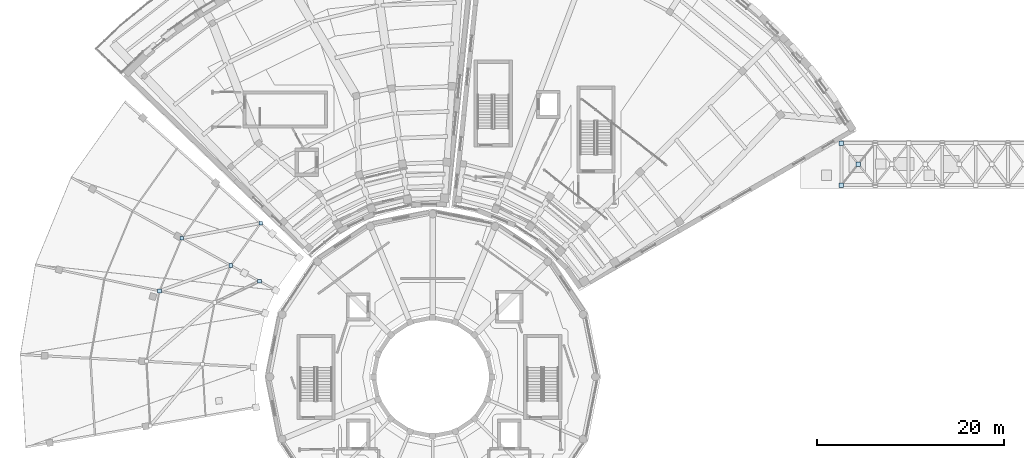
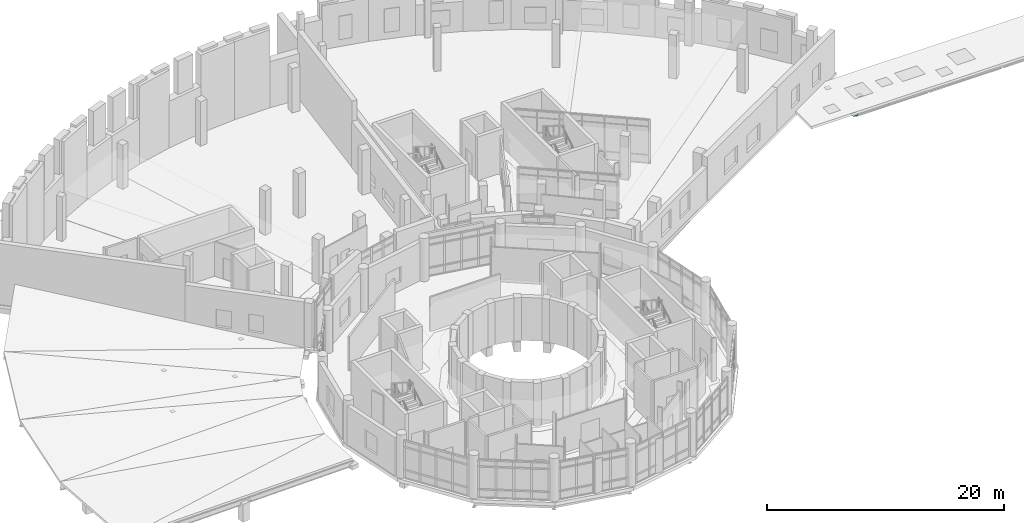
# One storey, part 30 of 49: 8 plates.
"""IFC4 building model written with IfcOpenShell, lengths in metres."""

from ifc_helpers import new_model, si_unit, direction, frame, origin, origin_2d, place, context, subcontext, project, spatial, rectangle, extrude, material, layer, layer_set, type_object, element, save


model = new_model("IFC4")

# Units and contexts
model_context = context("Model", 3, precision=1e-05, world=origin(), true_north=direction((0.0, 1.0)))
body_context = subcontext(model_context, "Body", "Model", "MODEL_VIEW")
ifc_project = project(units=[si_unit("LENGTHUNIT", "METRE"), si_unit("AREAUNIT", "SQUARE_METRE"), si_unit("VOLUMEUNIT", "CUBIC_METRE"), si_unit("PLANEANGLEUNIT", "RADIAN"), si_unit("MASSUNIT", "GRAM", prefix="KILO")], contexts=[model_context])

# Site, building, storey
site_placement = place(None, origin())
site = spatial("IfcSite", under=ifc_project, at=site_placement, CompositionType="ELEMENT")
building_placement = place(site_placement, origin())
building = spatial("IfcBuilding", under=site, at=building_placement, Name="Soyqirgoq Riverine Aquarium", CompositionType="ELEMENT")
storey_placement = place(building_placement, frame((0.0, 0.0, 15.0)))
storey = spatial("IfcBuildingStorey", under=building, at=storey_placement, Name="L04", CompositionType="ELEMENT", Elevation=15.0)

# Plates
ifc_material = material(Name="Structural steel S355", Category="steel")
ifc_layer = layer(ifc_material, 0.031982421875)
ifc_layer_set = layer_set([ifc_layer], Name="Structural steel S355")
plate_type = type_object("IfcPlateType", Name="NodeGussetPlate_32_S355", PredefinedType="SHEET", material=ifc_layer_set)
for number, where, z_axis, x_axis, name in (
    (1, (101.60009765625, 79.800048828125, -0.24609375), (0.0, 0.0, 1.0), (1.0, 0.0, 0.0), "BR-2 X-Brace Crossing Gusset Plate 033"),
    (2, (99.800048828125, 77.550048828125, -0.24609375), (0.0, 0.0, 1.0), (1.0, 0.0, 0.0), "BR-2 Brace End Gusset Plate SW 034"),
    (3, (99.800048828125, 82.050048828125, -0.24609375), (0.0, 0.0, 1.0), (1.0, 0.0, 0.0), "BR-2 Brace End Gusset Plate NW 036"),
):
    element("IfcPlate", number, at=place(storey_placement, frame(where, z_axis=z_axis, x_axis=x_axis)), inside=storey, type_object=plate_type, Name=name, PredefinedType="SHEET", context=body_context, shape_type="SweptSolid", body=[
        extrude(rectangle(XDim=0.47998046875, YDim=0.47998046875, at=origin_2d()), origin(), (0.0, 0.0, 1.0), 0.031982421875),
    ])
for number, where, z_axis, x_axis, name in (
    (4, (37.57861328125, 73.470703125, 0.84619140625), (0.0, 0.0, 1.0), (1.0, 0.0, 0.0), "V3 Lateral Wind Brace End Gusset 125"),
    (5, (29.10302734375, 71.847900390625, 1.56494140625), (0.0, 0.0, 1.0), (1.0, 0.0, 0.0), "V3 Lateral Wind Brace End Gusset 126"),
    (6, (34.366455078125, 68.9423828125, 0.85107421875), (0.0, 0.0, 1.0), (1.0, 0.0, 0.0), "V3 Lateral Wind Brace End Gusset 127"),
    (7, (26.720703125, 66.209716796875, 1.58837890625), (0.0, 0.0, 1.0), (1.0, 0.0, 0.0), "V3 Lateral Wind Brace End Gusset 128"),
    (8, (37.436767578125, 67.24755859375, 0.39501953125), (0.0, 0.0, 1.0), (1.0, 0.0, 0.0), "V3 Lateral Sub-Rafter Brace End Gusset 151"),
):
    element("IfcPlate", number, at=place(storey_placement, frame(where, z_axis=z_axis, x_axis=x_axis)), inside=storey, type_object=plate_type, Name=name, PredefinedType="SHEET", context=body_context, shape_type="SweptSolid", body=[
        extrude(rectangle(XDim=0.39990234375, YDim=0.39990234375, at=origin_2d()), origin(), (0.0, 0.0, 1.0), 0.031982421875),
    ])

save(model, "model.ifc")
